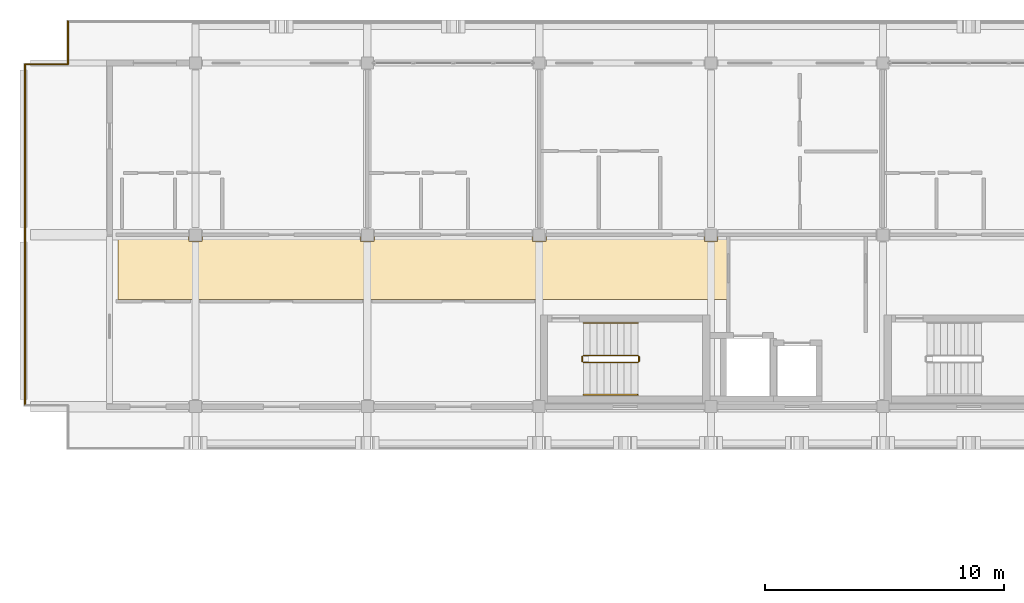
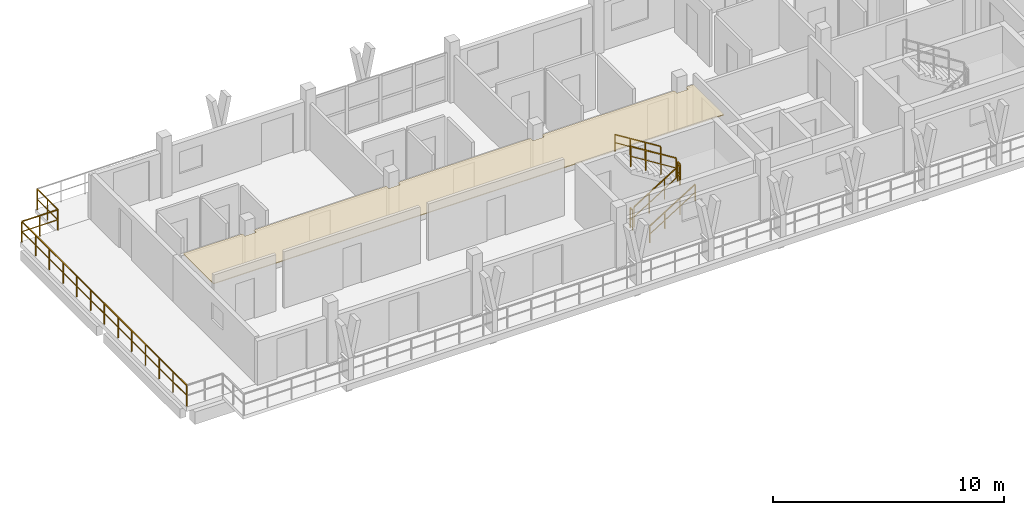
# One storey, part 38 of 45: 9 railings, 1 covering.
"""IFC4 building model written with IfcOpenShell, lengths in metres."""

from ifc_helpers import new_model, si_unit, direction, frame, origin, origin_2d, place, context, subcontext, project, spatial, polyline, rectangle, outline, extrude, material, layer, layer_set, type_object, element, save


model = new_model("IFC4")

# Units and contexts
model_context = context("Model", 3, precision=1e-05, world=origin(), true_north=direction((0.0, 1.0)))
body_context = subcontext(model_context, "Body", "Model", "MODEL_VIEW")
ifc_project = project(units=[si_unit("LENGTHUNIT", "METRE"), si_unit("AREAUNIT", "SQUARE_METRE"), si_unit("VOLUMEUNIT", "CUBIC_METRE"), si_unit("PLANEANGLEUNIT", "RADIAN"), si_unit("MASSUNIT", "GRAM", prefix="KILO")], contexts=[model_context])

# Site, building, storey
site_placement = place(None, origin())
site = spatial("IfcSite", under=ifc_project, at=site_placement, CompositionType="ELEMENT")
building_placement = place(site_placement, origin())
building = spatial("IfcBuilding", under=site, at=building_placement, Name="Suanplinth Sawtooth Commons", CompositionType="ELEMENT")
storey_placement = place(building_placement, frame((0.0, 0.0, 38.0)))
storey = spatial("IfcBuildingStorey", under=building, at=storey_placement, Name="L11", CompositionType="ELEMENT", Elevation=38.0)

# Covering
ifc_material_1 = material(Name="Mineral fibre acoustic tile")
ifc_layer = layer(ifc_material_1, 0.0400390625, Name="Perforated mineral-fibre acoustic suspended ceiling")
ifc_layer_set = layer_set([ifc_layer], Name="Mineral fibre acoustic tile")
covering_type = type_object("IfcCoveringType", Name="CV-CE01", PredefinedType="CEILING", material=ifc_layer_set)
covering_placement = place(storey_placement, frame((0.0, 0.0, 2.3798828125)))
element("IfcCovering", 1, at=covering_placement, inside=storey, type_object=covering_type, Name="L11 Block A Corridor Acoustic Ceiling", PredefinedType="CEILING", context=body_context, shape_type="SweptSolid", body=[
    extrude(outline(polyline([(25.56005859375, 112.5), (25.56005859375, 115.1201171875), (28.52001953125, 115.1201171875), (28.52001953125, 114.919921875), (29.080078125, 114.919921875), (29.080078125, 115.1201171875), (35.719970703125, 115.1201171875), (35.719970703125, 114.919921875), (36.280029296875, 114.919921875), (36.280029296875, 115.1201171875), (42.919921875, 115.1201171875), (42.919921875, 114.919921875), (43.47998046875, 114.919921875), (43.47998046875, 115.1201171875), (50.1201171875, 115.1201171875), (50.1201171875, 114.919921875), (50.679931640625, 114.919921875), (50.679931640625, 115.1201171875), (51.080078125, 115.1201171875), (51.080078125, 112.5), (25.56005859375, 112.5)])), origin(), (0.0, 0.0, 1.0), 0.0400390625),
])

# Railings
ifc_material_2 = material(Name="Powder-coated galvanized steel", Category="steel")
railing_type_1 = type_object("IfcRailingType", Name="GR-01", PredefinedType="BALUSTRADE", material=ifc_material_2)
railing_1_placement = place(storey_placement, frame((21.659912109375, 108.06005859375, 0.0)))
element("IfcRailing", 2, at=railing_1_placement, inside=storey, type_object=railing_type_1, Name="L11 Block A Perimeter Balustrade 2", PredefinedType="BALUSTRADE", context=body_context, shape_type="SweptSolid", body=[
    extrude(rectangle(XDim=0.048095703125, YDim=0.048095703125, at=origin_2d()), frame((0.0, 0.0, 1.09619140625), z_axis=(0.0, 1.0, 0.0), x_axis=(-1.0, 0.0, 0.0)), (0.0, 0.0, 1.0), 14.280029296875),
    extrude(rectangle(XDim=0.03369140625, YDim=0.03369140625, at=origin_2d()), frame((0.0, 0.0, 0.56005859375), z_axis=(0.0, 1.0, 0.0), x_axis=(-1.0, 0.0, 0.0)), (0.0, 0.0, 1.0), 14.280029296875),
    extrude(rectangle(XDim=0.0419921875, YDim=0.0419921875, at=origin_2d()), origin(), (0.0, 0.0, 1.0), 1.072021484375),
    extrude(rectangle(XDim=0.0419921875, YDim=0.0419921875, at=origin_2d()), frame((0.0, 1.18994140625, 0.0)), (0.0, 0.0, 1.0), 1.072021484375),
    extrude(rectangle(XDim=0.0419921875, YDim=0.0419921875, at=origin_2d()), frame((0.0, 2.3798828125, 0.0)), (0.0, 0.0, 1.0), 1.072021484375),
    extrude(rectangle(XDim=0.0419921875, YDim=0.0419921875, at=origin_2d()), frame((0.0, 3.570068359375, 0.0)), (0.0, 0.0, 1.0), 1.072021484375),
    extrude(rectangle(XDim=0.0419921875, YDim=0.0419921875, at=origin_2d()), frame((0.0, 4.760009765625, 0.0)), (0.0, 0.0, 1.0), 1.072021484375),
    extrude(rectangle(XDim=0.0419921875, YDim=0.0419921875, at=origin_2d()), frame((0.0, 5.949951171875, 0.0)), (0.0, 0.0, 1.0), 1.072021484375),
    extrude(rectangle(XDim=0.0419921875, YDim=0.0419921875, at=origin_2d()), frame((0.0, 7.14013671875, 0.0)), (0.0, 0.0, 1.0), 1.072021484375),
    extrude(rectangle(XDim=0.0419921875, YDim=0.0419921875, at=origin_2d()), frame((0.0, 8.330078125, 0.0)), (0.0, 0.0, 1.0), 1.072021484375),
    extrude(rectangle(XDim=0.0419921875, YDim=0.0419921875, at=origin_2d()), frame((0.0, 9.52001953125, 0.0)), (0.0, 0.0, 1.0), 1.072021484375),
    extrude(rectangle(XDim=0.0419921875, YDim=0.0419921875, at=origin_2d()), frame((0.0, 10.7099609375, 0.0)), (0.0, 0.0, 1.0), 1.072021484375),
    extrude(rectangle(XDim=0.0419921875, YDim=0.0419921875, at=origin_2d()), frame((0.0, 11.89990234375, 0.0)), (0.0, 0.0, 1.0), 1.072021484375),
    extrude(rectangle(XDim=0.0419921875, YDim=0.0419921875, at=origin_2d()), frame((0.0, 13.090087890625, 0.0)), (0.0, 0.0, 1.0), 1.072021484375),
    extrude(rectangle(XDim=0.0419921875, YDim=0.0419921875, at=origin_2d()), frame((0.0, 14.280029296875, 0.0)), (0.0, 0.0, 1.0), 1.072021484375),
])
railing_2_placement = place(storey_placement, frame((21.659912109375, 122.340087890625, 0.0)))
element("IfcRailing", 3, at=railing_2_placement, inside=storey, type_object=railing_type_1, Name="L11 Block A Perimeter Balustrade 3", PredefinedType="BALUSTRADE", context=body_context, shape_type="SweptSolid", body=[
    extrude(rectangle(XDim=0.048095703125, YDim=0.048095703125, at=origin_2d()), frame((0.0, 0.0, 1.09619140625), z_axis=(1.0, 0.0, 0.0), x_axis=(0.0, 1.0, 0.0)), (0.0, 0.0, 1.0), 1.800048828125),
    extrude(rectangle(XDim=0.03369140625, YDim=0.03369140625, at=origin_2d()), frame((0.0, 0.0, 0.56005859375), z_axis=(1.0, 0.0, 0.0), x_axis=(0.0, 1.0, 0.0)), (0.0, 0.0, 1.0), 1.800048828125),
    extrude(rectangle(XDim=0.0419921875, YDim=0.0419921875, at=origin_2d()), origin(), (0.0, 0.0, 1.0), 1.072021484375),
    extrude(rectangle(XDim=0.0419921875, YDim=0.0419921875, at=origin_2d()), frame((0.89990234375, 0.0, 0.0)), (0.0, 0.0, 1.0), 1.072021484375),
    extrude(rectangle(XDim=0.0419921875, YDim=0.0419921875, at=origin_2d()), frame((1.800048828125, 0.0, 0.0)), (0.0, 0.0, 1.0), 1.072021484375),
])
railing_3_placement = place(storey_placement, frame((23.4599609375, 122.340087890625, 0.0)))
element("IfcRailing", 4, at=railing_3_placement, inside=storey, type_object=railing_type_1, Name="L11 Block A Perimeter Balustrade 4", PredefinedType="BALUSTRADE", context=body_context, shape_type="SweptSolid", body=[
    extrude(rectangle(XDim=0.048095703125, YDim=0.048095703125, at=origin_2d()), frame((0.0, 0.0, 1.09619140625), z_axis=(0.0, 1.0, 0.0), x_axis=(-1.0, 0.0, 0.0)), (0.0, 0.0, 1.0), 1.7998046875),
    extrude(rectangle(XDim=0.03369140625, YDim=0.03369140625, at=origin_2d()), frame((0.0, 0.0, 0.56005859375), z_axis=(0.0, 1.0, 0.0), x_axis=(-1.0, 0.0, 0.0)), (0.0, 0.0, 1.0), 1.7998046875),
    extrude(rectangle(XDim=0.0419921875, YDim=0.0419921875, at=origin_2d()), origin(), (0.0, 0.0, 1.0), 1.072021484375),
    extrude(rectangle(XDim=0.0419921875, YDim=0.0419921875, at=origin_2d()), frame((0.0, 0.89990234375, 0.0)), (0.0, 0.0, 1.0), 1.072021484375),
    extrude(rectangle(XDim=0.0419921875, YDim=0.0419921875, at=origin_2d()), frame((0.0, 1.7998046875, 0.0)), (0.0, 0.0, 1.0), 1.072021484375),
])
ifc_material_3 = material(Name="Stainless steel Grade 304", Category="steel")
railing_type_2 = type_object("IfcRailingType", Name="GR-04", PredefinedType="GUARDRAIL", material=ifc_material_3)
railing_4_placement = place(storey_placement, frame((45.050048828125, 109.85009765625, 0.177734375)))
element("IfcRailing", 5, at=railing_4_placement, inside=storey, type_object=railing_type_2, Name="L11 ST-N1 Guard 1", PredefinedType="GUARDRAIL", context=body_context, shape_type="SweptSolid", body=[
    extrude(rectangle(XDim=0.048095703125, YDim=0.048095703125, at=origin_2d()), frame((0.0, 0.0, 1.076171875), z_axis=(0.848442045328, 0.0, 0.529288291689), x_axis=(0.0, 1.0, 0.0)), (0.0, 0.0, 1.0), 2.687255859375),
    extrude(rectangle(XDim=0.03369140625, YDim=0.03369140625, at=origin_2d()), frame((0.0, 0.0, 0.550048828125), z_axis=(0.848442045328, 0.0, 0.529288291689), x_axis=(0.0, 1.0, 0.0)), (0.0, 0.0, 1.0), 2.687255859375),
    extrude(rectangle(XDim=0.0419921875, YDim=0.0419921875, at=origin_2d()), origin(), (0.0, 0.0, 1.0), 1.052001953125),
    extrude(rectangle(XDim=0.0419921875, YDim=0.0419921875, at=origin_2d()), frame((0.760009765625, 0.0, 0.47412109375)), (0.0, 0.0, 1.0), 1.052001953125),
    extrude(rectangle(XDim=0.0419921875, YDim=0.0419921875, at=origin_2d()), frame((1.52001953125, 0.0, 0.9482421875)), (0.0, 0.0, 1.0), 1.052001953125),
    extrude(rectangle(XDim=0.0419921875, YDim=0.0419921875, at=origin_2d()), frame((2.280029296875, 0.0, 1.42236328125)), (0.0, 0.0, 1.0), 1.052001953125),
])
railing_5_placement = place(storey_placement, frame((47.3798828125, 109.89990234375, 1.60009765625)))
element("IfcRailing", 6, at=railing_5_placement, inside=storey, type_object=railing_type_2, Name="L11 ST-N1 Guard 2", PredefinedType="GUARDRAIL", context=body_context, shape_type="SweptSolid", body=[
    extrude(rectangle(XDim=0.048095703125, YDim=0.048095703125, at=origin_2d()), frame((0.0, 0.0, 1.076171875), z_axis=(0.0, 1.0, 0.0), x_axis=(-1.0, 0.0, 0.0)), (0.0, 0.0, 1.0), 0.2001953125),
    extrude(rectangle(XDim=0.03369140625, YDim=0.03369140625, at=origin_2d()), frame((0.0, 0.0, 0.550048828125), z_axis=(0.0, 1.0, 0.0), x_axis=(-1.0, 0.0, 0.0)), (0.0, 0.0, 1.0), 0.2001953125),
    extrude(rectangle(XDim=0.0419921875, YDim=0.0419921875, at=origin_2d()), origin(), (0.0, 0.0, 1.0), 1.052001953125),
    extrude(rectangle(XDim=0.0419921875, YDim=0.0419921875, at=origin_2d()), frame((0.0, 0.2001953125, 0.0)), (0.0, 0.0, 1.0), 1.052001953125),
])
railing_6_placement = place(storey_placement, frame((47.330078125, 110.14990234375, 1.77783203125)))
element("IfcRailing", 7, at=railing_6_placement, inside=storey, type_object=railing_type_2, Name="L11 ST-N1 Guard 3", PredefinedType="GUARDRAIL", context=body_context, shape_type="SweptSolid", body=[
    extrude(rectangle(XDim=0.048095703125, YDim=0.048095703125, at=origin_2d()), frame((0.0, 0.0, 1.076171875), z_axis=(-0.848482842525, 0.0, 0.529222888715), x_axis=(0.0, -1.0, 0.0)), (0.0, 0.0, 1.0), 2.687255859375),
    extrude(rectangle(XDim=0.03369140625, YDim=0.03369140625, at=origin_2d()), frame((0.0, 0.0, 0.550048828125), z_axis=(-0.848482842525, 0.0, 0.529222888715), x_axis=(0.0, -1.0, 0.0)), (0.0, 0.0, 1.0), 2.687255859375),
    extrude(rectangle(XDim=0.0419921875, YDim=0.0419921875, at=origin_2d()), origin(), (0.0, 0.0, 1.0), 1.052001953125),
    extrude(rectangle(XDim=0.0419921875, YDim=0.0419921875, at=origin_2d()), frame((-0.760009765625, 0.0, 0.47412109375)), (0.0, 0.0, 1.0), 1.052001953125),
    extrude(rectangle(XDim=0.0419921875, YDim=0.0419921875, at=origin_2d()), frame((-1.52001953125, 0.0, 0.947998046875)), (0.0, 0.0, 1.0), 1.052001953125),
    extrude(rectangle(XDim=0.0419921875, YDim=0.0419921875, at=origin_2d()), frame((-2.280029296875, 0.0, 1.422119140625)), (0.0, 0.0, 1.0), 1.052001953125),
])
railing_7_placement = place(storey_placement, frame((45.0, 109.89990234375, 0.0)))
element("IfcRailing", 8, at=railing_7_placement, inside=storey, type_object=railing_type_2, Name="L11 ST-N1 Guard 4", PredefinedType="GUARDRAIL", context=body_context, shape_type="SweptSolid", body=[
    extrude(rectangle(XDim=0.048095703125, YDim=0.048095703125, at=origin_2d()), frame((0.0, 0.0, 1.076171875), z_axis=(0.0, 1.0, 0.0), x_axis=(-1.0, 0.0, 0.0)), (0.0, 0.0, 1.0), 0.2001953125),
    extrude(rectangle(XDim=0.03369140625, YDim=0.03369140625, at=origin_2d()), frame((0.0, 0.0, 0.550048828125), z_axis=(0.0, 1.0, 0.0), x_axis=(-1.0, 0.0, 0.0)), (0.0, 0.0, 1.0), 0.2001953125),
    extrude(rectangle(XDim=0.0419921875, YDim=0.0419921875, at=origin_2d()), origin(), (0.0, 0.0, 1.0), 1.052001953125),
    extrude(rectangle(XDim=0.0419921875, YDim=0.0419921875, at=origin_2d()), frame((0.0, 0.2001953125, 0.0)), (0.0, 0.0, 1.0), 1.052001953125),
])
railing_type_3 = type_object("IfcRailingType", Name="HR-01", PredefinedType="HANDRAIL", material=ifc_material_3)
railing_8_placement = place(storey_placement, frame((45.050048828125, 108.5, 0.177734375)))
element("IfcRailing", 9, at=railing_8_placement, inside=storey, type_object=railing_type_3, Name="L11 ST-N1 Handrail 1", PredefinedType="HANDRAIL", context=body_context, shape_type="SweptSolid", body=[
    extrude(rectangle(XDim=0.048095703125, YDim=0.048095703125, at=origin_2d()), frame((0.0, 0.0, 0.8759765625), z_axis=(0.848442045328, 0.0, 0.529288291689), x_axis=(0.0, 1.0, 0.0)), (0.0, 0.0, 1.0), 2.687255859375),
    extrude(rectangle(XDim=0.03369140625, YDim=0.03369140625, at=origin_2d()), frame((0.0, 0.0, 0.449951171875), z_axis=(0.848442045328, 0.0, 0.529288291689), x_axis=(0.0, 1.0, 0.0)), (0.0, 0.0, 1.0), 2.687255859375),
    extrude(rectangle(XDim=0.0419921875, YDim=0.0419921875, at=origin_2d()), origin(), (0.0, 0.0, 1.0), 0.851806640625),
    extrude(rectangle(XDim=0.0419921875, YDim=0.0419921875, at=origin_2d()), frame((0.760009765625, 0.0, 0.47412109375)), (0.0, 0.0, 1.0), 0.851806640625),
    extrude(rectangle(XDim=0.0419921875, YDim=0.0419921875, at=origin_2d()), frame((1.52001953125, 0.0, 0.9482421875)), (0.0, 0.0, 1.0), 0.851806640625),
    extrude(rectangle(XDim=0.0419921875, YDim=0.0419921875, at=origin_2d()), frame((2.280029296875, 0.0, 1.42236328125)), (0.0, 0.0, 1.0), 0.851806640625),
])
railing_9_placement = place(storey_placement, frame((47.330078125, 111.5, 1.77783203125)))
element("IfcRailing", 10, at=railing_9_placement, inside=storey, type_object=railing_type_3, Name="L11 ST-N1 Handrail 2", PredefinedType="HANDRAIL", context=body_context, shape_type="SweptSolid", body=[
    extrude(rectangle(XDim=0.048095703125, YDim=0.048095703125, at=origin_2d()), frame((0.0, 0.0, 0.8759765625), z_axis=(-0.848482842525, 0.0, 0.529222888715), x_axis=(0.0, -1.0, 0.0)), (0.0, 0.0, 1.0), 2.687255859375),
    extrude(rectangle(XDim=0.03369140625, YDim=0.03369140625, at=origin_2d()), frame((0.0, 0.0, 0.449951171875), z_axis=(-0.848482842525, 0.0, 0.529222888715), x_axis=(0.0, -1.0, 0.0)), (0.0, 0.0, 1.0), 2.687255859375),
    extrude(rectangle(XDim=0.0419921875, YDim=0.0419921875, at=origin_2d()), origin(), (0.0, 0.0, 1.0), 0.851806640625),
    extrude(rectangle(XDim=0.0419921875, YDim=0.0419921875, at=origin_2d()), frame((-0.760009765625, 0.0, 0.47412109375)), (0.0, 0.0, 1.0), 0.851806640625),
    extrude(rectangle(XDim=0.0419921875, YDim=0.0419921875, at=origin_2d()), frame((-1.52001953125, 0.0, 0.947998046875)), (0.0, 0.0, 1.0), 0.851806640625),
    extrude(rectangle(XDim=0.0419921875, YDim=0.0419921875, at=origin_2d()), frame((-2.280029296875, 0.0, 1.422119140625)), (0.0, 0.0, 1.0), 0.851806640625),
])

save(model, "model.ifc")
